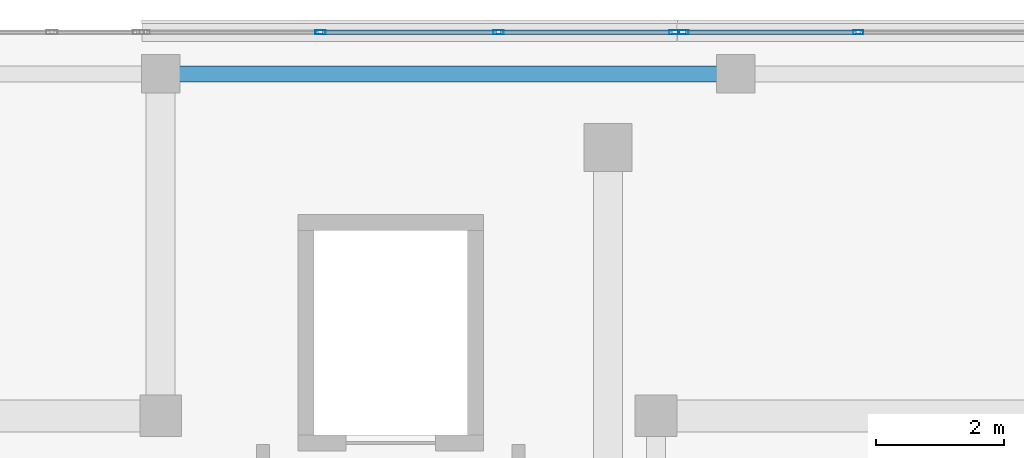
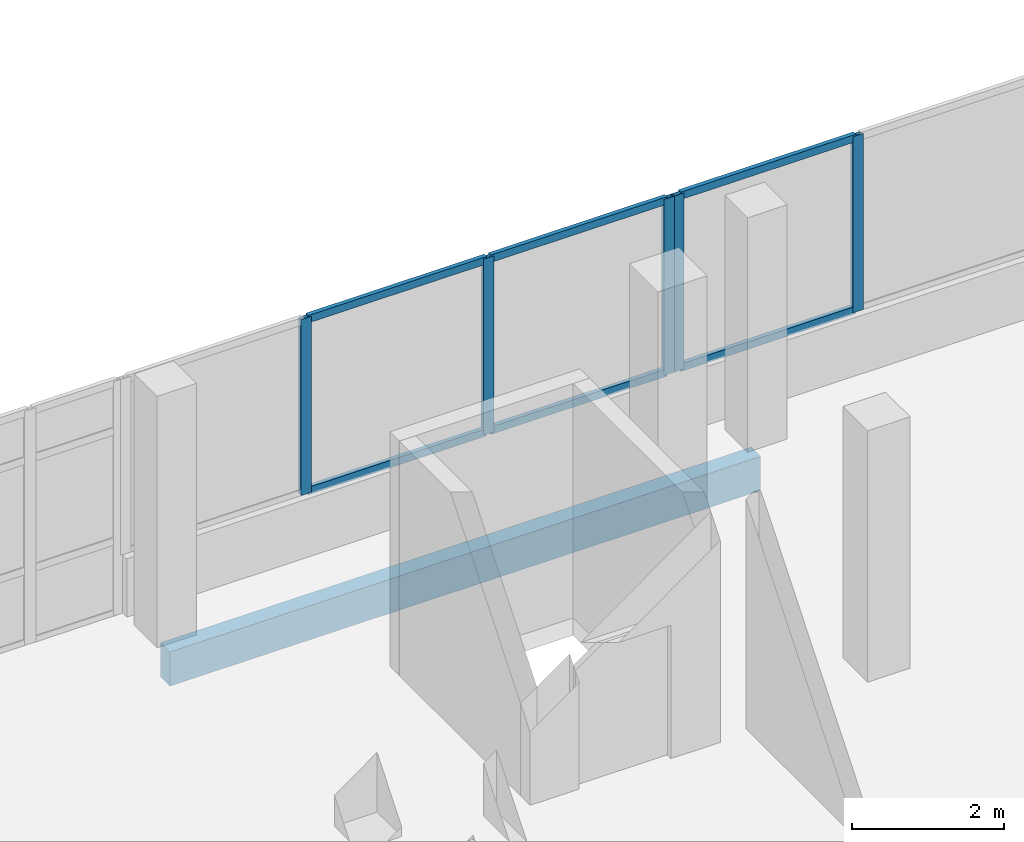
# One storey, part 53 of 78: 11 members, 1 beam, 2 elements without a shape of their own.
"""IFC4 building model written with IfcOpenShell, lengths in metres."""

from ifc_helpers import new_model, si_unit, direction, frame, origin, origin_2d, place, context, subcontext, project, spatial, rectangle, hollow_rectangle, extrude, material, material_profile, profile_set, type_object, element, aggregate, save


model = new_model("IFC4")

# Units and contexts
model_context = context("Model", 3, precision=1e-05, world=origin(), true_north=direction((0.0, 1.0)))
body_context = subcontext(model_context, "Body", "Model", "MODEL_VIEW")
ifc_project = project(units=[si_unit("LENGTHUNIT", "METRE"), si_unit("AREAUNIT", "SQUARE_METRE"), si_unit("VOLUMEUNIT", "CUBIC_METRE"), si_unit("PLANEANGLEUNIT", "RADIAN"), si_unit("MASSUNIT", "GRAM", prefix="KILO")], contexts=[model_context])

# Site, building, storey
site_placement = place(None, origin())
site = spatial("IfcSite", under=ifc_project, at=site_placement, CompositionType="ELEMENT")
building_placement = place(site_placement, origin())
building = spatial("IfcBuilding", under=site, at=building_placement, Name="Selatvlak General Hospital", CompositionType="ELEMENT")
storey_placement = place(building_placement, frame((0.0, 0.0, 23.25)))
storey = spatial("IfcBuildingStorey", under=building, at=storey_placement, Name="L05", CompositionType="ELEMENT", Elevation=23.25)

# Beam
ifc_material_1 = material(Name="Concrete C40/50", Category="concrete")
ifc_material_profile_1 = material_profile(ifc_material_1, rectangle(XDim=0.25, YDim=0.550048828125, at=origin_2d()), Name="RC-SP 250x550")
ifc_profile_set_1 = profile_set([ifc_material_profile_1], Name="Concrete C40/50")
beam_type = type_object("IfcBeamType", Name="BM-SP2", PredefinedType="SPANDREL", material=ifc_profile_set_1)
beam_placement = place(storey_placement, frame((140.39990234375, 119.35009765625, -0.554931640625), z_axis=(1.0, 0.0, 0.0), x_axis=(0.0, 1.0, 0.0)))
element("IfcBeam", 1, at=beam_placement, inside=storey, type_object=beam_type, Name="Beam BMR-L05-1984", PredefinedType="SPANDREL", context=body_context, shape_type="SweptSolid", body=[
    extrude(rectangle(XDim=0.25, YDim=0.550048828125, at=origin_2d()), origin(), (0.0, 0.0, 1.0), 9.0),
])

# Curtain wall, members
ifc_material_2 = material(Name="Solar-control Low-E double glazing", Category="glass")
curtain_wall_type_1 = type_object("IfcCurtainWallType", Name="CW-CW-01", PredefinedType="USERDEFINED", material=ifc_material_2)
curtain_wall_1_placement = place(storey_placement, origin())
curtain_wall_1 = element("IfcCurtainWall", 2, at=curtain_wall_1_placement, inside=storey, type_object=curtain_wall_type_1, Name="Glazed facade curtain wall CW-L05-0561", ObjectType="UNITISED CURTAIN WALL", PredefinedType="USERDEFINED")
ifc_material_3 = material(Name="Dark anodised aluminium mullion", Category="aluminium")
ifc_material_profile_2 = material_profile(ifc_material_3, hollow_rectangle(XDim=0.06494140625, YDim=0.159912109375, WallThickness=0.00390625, at=origin_2d()), Name="AL-MUL 65x160x4")
ifc_profile_set_2 = profile_set([ifc_material_profile_2], Name="Dark anodised aluminium mullion")
member_type_1 = type_object("IfcMemberType", Name="CWM-01", PredefinedType="MULLION", material=ifc_profile_set_2)
member_1_placement = place(storey_placement, frame((142.902587890625, 120.0, 0.93994140625), z_axis=(0.0, 0.0, 1.0), x_axis=(0.0, 1.0, 0.0)))
member_1 = element("IfcMember", 3, at=member_1_placement, type_object=member_type_1, Name="CW-01 mullion 2", PredefinedType="MULLION", context=body_context, shape_type="SweptSolid", body=[
    extrude(hollow_rectangle(XDim=0.06494140625, YDim=0.159912109375, WallThickness=0.00390625, at=origin_2d()), origin(), (0.0, 0.0, 1.0), 2.8349609375),
])
member_2_placement = place(storey_placement, frame((145.685302734375, 120.0, 0.93994140625), z_axis=(0.0, 0.0, 1.0), x_axis=(0.0, 1.0, 0.0)))
member_2 = element("IfcMember", 4, at=member_2_placement, type_object=member_type_1, Name="CW-01 mullion 3", PredefinedType="MULLION", context=body_context, shape_type="SweptSolid", body=[
    extrude(hollow_rectangle(XDim=0.06494140625, YDim=0.159912109375, WallThickness=0.00390625, at=origin_2d()), origin(), (0.0, 0.0, 1.0), 2.8349609375),
])
member_3_placement = place(storey_placement, frame((148.435546875, 120.0, 0.93994140625), z_axis=(0.0, 0.0, 1.0), x_axis=(0.0, 1.0, 0.0)))
member_3 = element("IfcMember", 5, at=member_3_placement, type_object=member_type_1, Name="CW-01 mullion 4", PredefinedType="MULLION", context=body_context, shape_type="SweptSolid", body=[
    extrude(hollow_rectangle(XDim=0.06494140625, YDim=0.159912109375, WallThickness=0.00390625, at=origin_2d()), origin(), (0.0, 0.0, 1.0), 2.8349609375),
])

curtain_wall_type_2 = type_object("IfcCurtainWallType", Name="CW-CW-02", PredefinedType="USERDEFINED", material=ifc_material_2)
curtain_wall_2_placement = place(storey_placement, origin())
curtain_wall_2 = element("IfcCurtainWall", 6, at=curtain_wall_2_placement, inside=storey, type_object=curtain_wall_type_2, Name="Glazed facade curtain wall CW-L05-0562", ObjectType="UNITISED CURTAIN WALL", PredefinedType="USERDEFINED")
member_4_placement = place(storey_placement, frame((148.58056640625, 120.0, 0.93994140625), z_axis=(0.0, 0.0, 1.0), x_axis=(0.0, 1.0, 0.0)))
member_4 = element("IfcMember", 7, at=member_4_placement, type_object=member_type_1, Name="CW-02 mullion 1", PredefinedType="MULLION", context=body_context, shape_type="SweptSolid", body=[
    extrude(hollow_rectangle(XDim=0.06494140625, YDim=0.159912109375, WallThickness=0.00390625, at=origin_2d()), origin(), (0.0, 0.0, 1.0), 2.8349609375),
])
member_5_placement = place(storey_placement, frame((151.314453125, 120.0, 0.93994140625), z_axis=(0.0, 0.0, 1.0), x_axis=(0.0, 1.0, 0.0)))
member_5 = element("IfcMember", 8, at=member_5_placement, type_object=member_type_1, Name="CW-02 mullion 2", PredefinedType="MULLION", context=body_context, shape_type="SweptSolid", body=[
    extrude(hollow_rectangle(XDim=0.06494140625, YDim=0.159912109375, WallThickness=0.00390625, at=origin_2d()), origin(), (0.0, 0.0, 1.0), 2.8349609375),
])

# Member
ifc_material_profile_3 = material_profile(ifc_material_3, hollow_rectangle(XDim=0.06494140625, YDim=0.1201171875, WallThickness=0.00390625, at=origin_2d()), Name="AL-TRN 65x120x4")
ifc_profile_set_3 = profile_set([ifc_material_profile_3], Name="Dark anodised aluminium mullion")
member_type_2 = type_object("IfcMemberType", Name="CWT-01", PredefinedType="USERDEFINED", material=ifc_profile_set_3)
member_6_placement = place(storey_placement, frame((142.93505859375, 120.0, 0.972412109375), z_axis=(1.0, 0.0, 0.0), x_axis=(0.0, 1.0, 0.0)))
member_6 = element("IfcMember", 9, at=member_6_placement, type_object=member_type_2, Name="CW-01 transom 2.1", ObjectType="TRANSOM", PredefinedType="USERDEFINED", context=body_context, shape_type="SweptSolid", body=[
    extrude(hollow_rectangle(XDim=0.06494140625, YDim=0.1201171875, WallThickness=0.00390625, at=origin_2d()), origin(), (0.0, 0.0, 1.0), 2.7177734375),
])

member_7_placement = place(storey_placement, frame((142.93505859375, 120.0, 3.742431640625), z_axis=(1.0, 0.0, 0.0), x_axis=(0.0, 1.0, 0.0)))
member_7 = element("IfcMember", 10, at=member_7_placement, type_object=member_type_2, Name="CW-01 transom 2.2", ObjectType="TRANSOM", PredefinedType="USERDEFINED", context=body_context, shape_type="SweptSolid", body=[
    extrude(hollow_rectangle(XDim=0.06494140625, YDim=0.1201171875, WallThickness=0.00390625, at=origin_2d()), origin(), (0.0, 0.0, 1.0), 2.7177734375),
])

member_8_placement = place(storey_placement, frame((145.7177734375, 120.0, 0.972412109375), z_axis=(1.0, 0.0, 0.0), x_axis=(0.0, 1.0, 0.0)))
member_8 = element("IfcMember", 11, at=member_8_placement, type_object=member_type_2, Name="CW-01 transom 3.1", ObjectType="TRANSOM", PredefinedType="USERDEFINED", context=body_context, shape_type="SweptSolid", body=[
    extrude(hollow_rectangle(XDim=0.06494140625, YDim=0.1201171875, WallThickness=0.00390625, at=origin_2d()), origin(), (0.0, 0.0, 1.0), 2.685302734375),
])

member_9_placement = place(storey_placement, frame((145.7177734375, 120.0, 3.742431640625), z_axis=(1.0, 0.0, 0.0), x_axis=(0.0, 1.0, 0.0)))
member_9 = element("IfcMember", 12, at=member_9_placement, type_object=member_type_2, Name="CW-01 transom 3.2", ObjectType="TRANSOM", PredefinedType="USERDEFINED", context=body_context, shape_type="SweptSolid", body=[
    extrude(hollow_rectangle(XDim=0.06494140625, YDim=0.1201171875, WallThickness=0.00390625, at=origin_2d()), origin(), (0.0, 0.0, 1.0), 2.685302734375),
])

aggregate(curtain_wall_1, [member_1, member_2, member_3, member_6, member_7, member_8, member_9])

member_10_placement = place(storey_placement, frame((148.613037109375, 120.0, 0.972412109375), z_axis=(1.0, 0.0, 0.0), x_axis=(0.0, 1.0, 0.0)))
member_10 = element("IfcMember", 13, at=member_10_placement, type_object=member_type_2, Name="CW-02 transom 1.1", ObjectType="TRANSOM", PredefinedType="USERDEFINED", context=body_context, shape_type="SweptSolid", body=[
    extrude(hollow_rectangle(XDim=0.06494140625, YDim=0.1201171875, WallThickness=0.00390625, at=origin_2d()), origin(), (0.0, 0.0, 1.0), 2.668701171875),
])

member_11_placement = place(storey_placement, frame((148.613037109375, 120.0, 3.742431640625), z_axis=(1.0, 0.0, 0.0), x_axis=(0.0, 1.0, 0.0)))
member_11 = element("IfcMember", 14, at=member_11_placement, type_object=member_type_2, Name="CW-02 transom 1.2", ObjectType="TRANSOM", PredefinedType="USERDEFINED", context=body_context, shape_type="SweptSolid", body=[
    extrude(hollow_rectangle(XDim=0.06494140625, YDim=0.1201171875, WallThickness=0.00390625, at=origin_2d()), origin(), (0.0, 0.0, 1.0), 2.668701171875),
])

aggregate(curtain_wall_2, [member_4, member_5, member_10, member_11])

save(model, "model.ifc")
